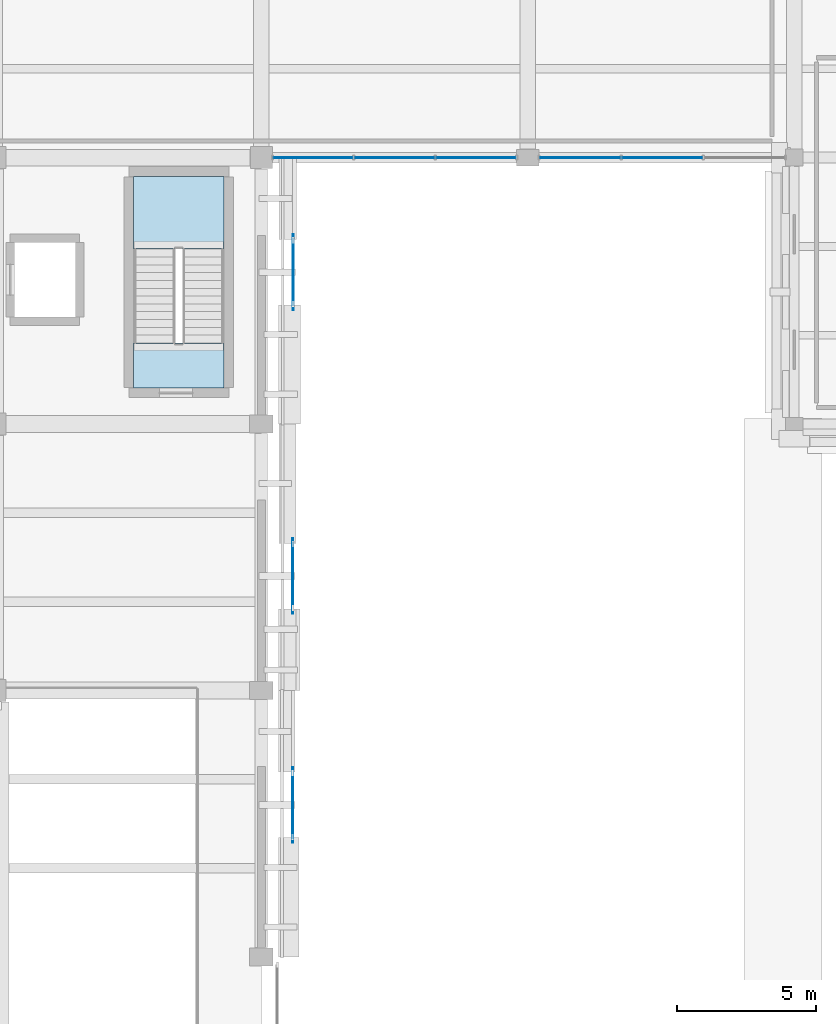
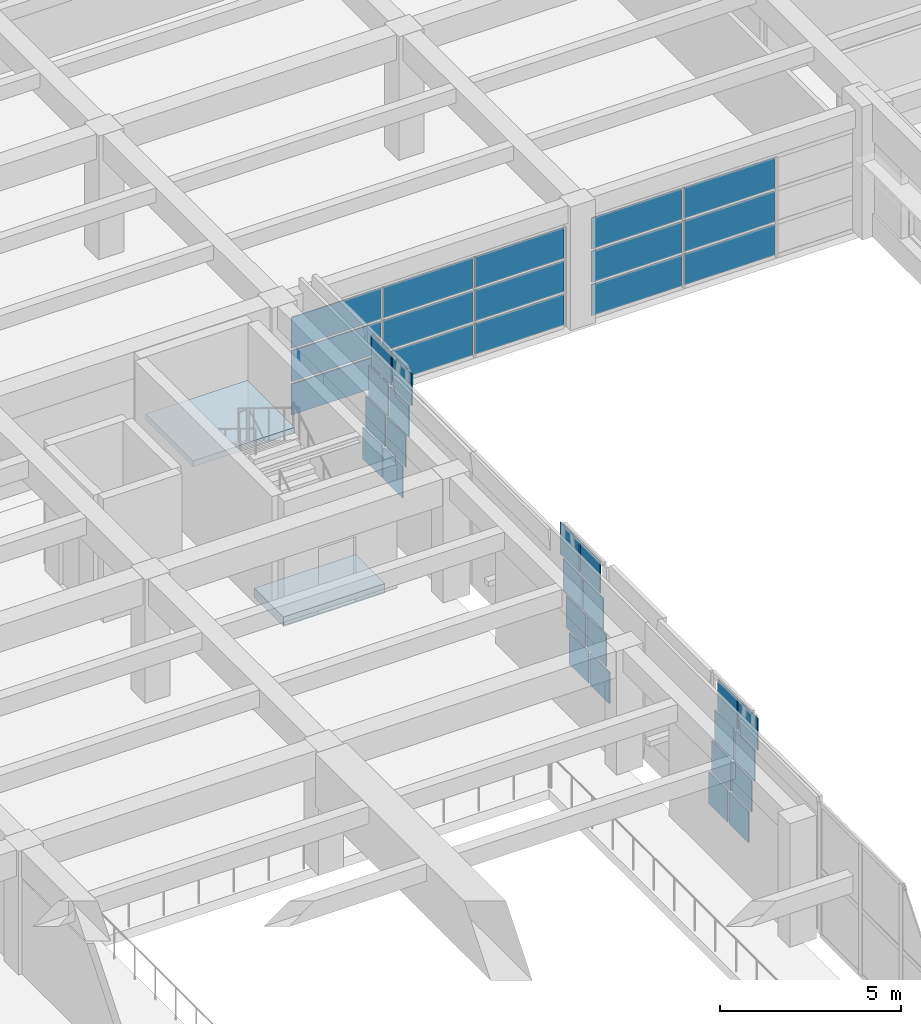
# One storey, part 27 of 49: 39 plates, 2 slabs, 6 elements without a shape of their own.
"""IFC4 building model written with IfcOpenShell, lengths in metres."""

from ifc_helpers import new_model, si_unit, direction, frame, origin, origin_2d, place, context, subcontext, project, spatial, polyline, rectangle, outline, extrude, material, layer, layer_set, type_object, element, aggregate, save


model = new_model("IFC4")

# Units and contexts
model_context = context("Model", 3, precision=1e-05, world=origin(), true_north=direction((0.0, 1.0)))
body_context = subcontext(model_context, "Body", "Model", "MODEL_VIEW")
ifc_project = project(units=[si_unit("LENGTHUNIT", "METRE"), si_unit("AREAUNIT", "SQUARE_METRE"), si_unit("VOLUMEUNIT", "CUBIC_METRE"), si_unit("PLANEANGLEUNIT", "RADIAN"), si_unit("MASSUNIT", "GRAM", prefix="KILO")], contexts=[model_context])

# Site, building, storey
site_placement = place(None, origin())
site = spatial("IfcSite", under=ifc_project, at=site_placement, CompositionType="ELEMENT")
building_placement = place(site_placement, origin())
building = spatial("IfcBuilding", under=site, at=building_placement, Name="Bempovik Park Faculty of Sciences", CompositionType="ELEMENT")
storey_placement = place(building_placement, frame((0.0, 0.0, 5.39990234375)))
storey = spatial("IfcBuildingStorey", under=building, at=storey_placement, Name="L01", CompositionType="ELEMENT", Elevation=5.39990234375)

# Curtain wall, plates
ifc_material_1 = material(Name="Tempered laminated low-E glass", Category="glass")
ifc_layer_1 = layer(ifc_material_1, 0.159912109375)
ifc_layer_set_1 = layer_set([ifc_layer_1], Name="Tempered laminated low-E glass")
curtain_wall_type_1 = type_object("IfcCurtainWallType", Name="CW-52 Curtain 6600x4100", PredefinedType="USERDEFINED", material=ifc_layer_set_1)
curtain_wall_1_placement = place(storey_placement, origin())
curtain_wall_1 = element("IfcCurtainWall", 1, at=curtain_wall_1_placement, inside=storey, type_object=curtain_wall_type_1, Name="L01 Unitised Curtain Wall (67.8,117.6)", ObjectType="UNITISED CURTAIN WALL", PredefinedType="USERDEFINED")
ifc_layer_2 = layer(ifc_material_1, 0.033935546875)
ifc_layer_set_2 = layer_set([ifc_layer_2], Name="Tempered laminated low-E glass")
plate_type_1 = type_object("IfcPlateType", Name="CP-19 Curtain Panel 34mm", PredefinedType="CURTAIN_PANEL", material=ifc_layer_set_2)
plate_1_placement = place(storey_placement, frame((119.468017578125, 67.800048828125, 1.1669921875), z_axis=(0.0, 0.0, 1.0), x_axis=(1.0, 0.0, 0.0)))
plate_1 = element("IfcPlate", 2, at=plate_1_placement, type_object=plate_type_1, Name="CW-BAY-L01-678-1176 Panel 0-1", PredefinedType="CURTAIN_PANEL", context=body_context, shape_type="SweptSolid", body=[
    extrude(rectangle(XDim=2.85205078125, YDim=0.035888671875, at=origin_2d()), origin(), (0.0, 0.0, 1.0), 1.046630859375),
])
plate_2_placement = place(storey_placement, frame((119.468017578125, 67.800048828125, 2.29345703125), z_axis=(0.0, 0.0, 1.0), x_axis=(1.0, 0.0, 0.0)))
plate_2 = element("IfcPlate", 3, at=plate_2_placement, type_object=plate_type_1, Name="CW-BAY-L01-678-1176 Panel 0-2", PredefinedType="CURTAIN_PANEL", context=body_context, shape_type="SweptSolid", body=[
    extrude(rectangle(XDim=2.85205078125, YDim=0.035888671875, at=origin_2d()), origin(), (0.0, 0.0, 1.0), 1.046630859375),
])
plate_3_placement = place(storey_placement, frame((122.39990234375, 67.800048828125, 1.1669921875), z_axis=(0.0, 0.0, 1.0), x_axis=(1.0, 0.0, 0.0)))
plate_3 = element("IfcPlate", 4, at=plate_3_placement, type_object=plate_type_1, Name="CW-BAY-L01-678-1176 Panel 1-1", PredefinedType="CURTAIN_PANEL", context=body_context, shape_type="SweptSolid", body=[
    extrude(rectangle(XDim=2.85205078125, YDim=0.035888671875, at=origin_2d()), origin(), (0.0, 0.0, 1.0), 1.046630859375),
])
plate_4_placement = place(storey_placement, frame((122.39990234375, 67.800048828125, 2.29345703125), z_axis=(0.0, 0.0, 1.0), x_axis=(1.0, 0.0, 0.0)))
plate_4 = element("IfcPlate", 5, at=plate_4_placement, type_object=plate_type_1, Name="CW-BAY-L01-678-1176 Panel 1-2", PredefinedType="CURTAIN_PANEL", context=body_context, shape_type="SweptSolid", body=[
    extrude(rectangle(XDim=2.85205078125, YDim=0.035888671875, at=origin_2d()), origin(), (0.0, 0.0, 1.0), 1.046630859375),
])
plate_5_placement = place(storey_placement, frame((125.33203125, 67.800048828125, 1.1669921875), z_axis=(0.0, 0.0, 1.0), x_axis=(1.0, 0.0, 0.0)))
plate_5 = element("IfcPlate", 6, at=plate_5_placement, type_object=plate_type_1, Name="CW-BAY-L01-678-1176 Panel 2-1", PredefinedType="CURTAIN_PANEL", context=body_context, shape_type="SweptSolid", body=[
    extrude(rectangle(XDim=2.85205078125, YDim=0.035888671875, at=origin_2d()), origin(), (0.0, 0.0, 1.0), 1.046630859375),
])
plate_6_placement = place(storey_placement, frame((125.33203125, 67.800048828125, 2.29345703125), z_axis=(0.0, 0.0, 1.0), x_axis=(1.0, 0.0, 0.0)))
plate_6 = element("IfcPlate", 7, at=plate_6_placement, type_object=plate_type_1, Name="CW-BAY-L01-678-1176 Panel 2-2", PredefinedType="CURTAIN_PANEL", context=body_context, shape_type="SweptSolid", body=[
    extrude(rectangle(XDim=2.85205078125, YDim=0.035888671875, at=origin_2d()), origin(), (0.0, 0.0, 1.0), 1.046630859375),
])

curtain_wall_2_placement = place(storey_placement, origin())
curtain_wall_2 = element("IfcCurtainWall", 8, at=curtain_wall_2_placement, inside=storey, type_object=curtain_wall_type_1, Name="L01 Unitised Curtain Wall (67.8,127.2)", ObjectType="UNITISED CURTAIN WALL", PredefinedType="USERDEFINED")
plate_7_placement = place(storey_placement, frame((129.0830078125, 67.800048828125, 1.1669921875), z_axis=(0.0, 0.0, 1.0), x_axis=(1.0, 0.0, 0.0)))
plate_7 = element("IfcPlate", 9, at=plate_7_placement, type_object=plate_type_1, Name="CW-BAY-L01-678-1272 Panel 0-1", PredefinedType="CURTAIN_PANEL", context=body_context, shape_type="SweptSolid", body=[
    extrude(rectangle(XDim=2.882080078125, YDim=0.035888671875, at=origin_2d()), origin(), (0.0, 0.0, 1.0), 1.046630859375),
])
plate_8_placement = place(storey_placement, frame((129.0830078125, 67.800048828125, 2.29345703125), z_axis=(0.0, 0.0, 1.0), x_axis=(1.0, 0.0, 0.0)))
plate_8 = element("IfcPlate", 10, at=plate_8_placement, type_object=plate_type_1, Name="CW-BAY-L01-678-1272 Panel 0-2", PredefinedType="CURTAIN_PANEL", context=body_context, shape_type="SweptSolid", body=[
    extrude(rectangle(XDim=2.882080078125, YDim=0.035888671875, at=origin_2d()), origin(), (0.0, 0.0, 1.0), 1.046630859375),
])
plate_9_placement = place(storey_placement, frame((132.044921875, 67.800048828125, 1.1669921875), z_axis=(0.0, 0.0, 1.0), x_axis=(1.0, 0.0, 0.0)))
plate_9 = element("IfcPlate", 11, at=plate_9_placement, type_object=plate_type_1, Name="CW-BAY-L01-678-1272 Panel 1-1", PredefinedType="CURTAIN_PANEL", context=body_context, shape_type="SweptSolid", body=[
    extrude(rectangle(XDim=2.882080078125, YDim=0.035888671875, at=origin_2d()), origin(), (0.0, 0.0, 1.0), 1.046630859375),
])
plate_10_placement = place(storey_placement, frame((132.044921875, 67.800048828125, 2.29345703125), z_axis=(0.0, 0.0, 1.0), x_axis=(1.0, 0.0, 0.0)))
plate_10 = element("IfcPlate", 12, at=plate_10_placement, type_object=plate_type_1, Name="CW-BAY-L01-678-1272 Panel 1-2", PredefinedType="CURTAIN_PANEL", context=body_context, shape_type="SweptSolid", body=[
    extrude(rectangle(XDim=2.882080078125, YDim=0.035888671875, at=origin_2d()), origin(), (0.0, 0.0, 1.0), 1.046630859375),
])

ifc_layer_3 = layer(ifc_material_1, 0.159912109375)
ifc_layer_set_3 = layer_set([ifc_layer_3], Name="Tempered laminated low-E glass")
curtain_wall_type_2 = type_object("IfcCurtainWallType", Name="CW-59 Curtain 2400x4500", PredefinedType="USERDEFINED", material=ifc_layer_set_3)
curtain_wall_3_placement = place(storey_placement, origin())
curtain_wall_3 = element("IfcCurtainWall", 13, at=curtain_wall_3_placement, inside=storey, type_object=curtain_wall_type_2, Name="L01 Crystal Slantwise Light Fold (117.6,39.0)", ObjectType="UNITISED CURTAIN WALL", PredefinedType="USERDEFINED")
ifc_layer_4 = layer(ifc_material_1, 0.035888671875)
ifc_layer_set_4 = layer_set([ifc_layer_4], Name="Tempered laminated low-E glass")
plate_type_2 = type_object("IfcPlateType", Name="CP-22 Curtain Panel 36mm", PredefinedType="CURTAIN_PANEL", material=ifc_layer_set_4)
plate_11_placement = place(storey_placement, frame((118.722900390625, 44.155029296875, 0.000244140625), z_axis=(0.0, 0.0, 1.0), x_axis=(0.0, 1.0, 0.0)))
plate_11 = element("IfcPlate", 14, at=plate_11_placement, type_object=plate_type_2, Name="CW-FOLD-L01-1176-390 Panel 0-0", PredefinedType="CURTAIN_PANEL", context=body_context, shape_type="SweptSolid", body=[
    extrude(rectangle(XDim=1.070068359375, YDim=0.035888671875, at=origin_2d()), origin(), (0.0, 0.0, 1.0), 1.06494140625),
])
plate_12_placement = place(storey_placement, frame((118.722900390625, 43.985107421875, 1.14501953125), z_axis=(0.0, 0.0, 1.0), x_axis=(0.0, 1.0, 0.0)))
plate_12 = element("IfcPlate", 15, at=plate_12_placement, type_object=plate_type_2, Name="CW-FOLD-L01-1176-390 Panel 0-1", PredefinedType="CURTAIN_PANEL", context=body_context, shape_type="SweptSolid", body=[
    extrude(rectangle(XDim=1.070068359375, YDim=0.035888671875, at=origin_2d()), origin(), (0.0, 0.0, 1.0), 1.06494140625),
])
plate_13_placement = place(storey_placement, frame((118.722900390625, 43.81494140625, 2.2900390625), z_axis=(0.0, 0.0, 1.0), x_axis=(0.0, 1.0, 0.0)))
plate_13 = element("IfcPlate", 16, at=plate_13_placement, type_object=plate_type_2, Name="CW-FOLD-L01-1176-390 Panel 0-2", PredefinedType="CURTAIN_PANEL", context=body_context, shape_type="SweptSolid", body=[
    extrude(rectangle(XDim=1.070068359375, YDim=0.035888671875, at=origin_2d()), origin(), (0.0, 0.0, 1.0), 1.06494140625),
])
plate_14_placement = place(storey_placement, frame((118.722900390625, 43.64501953125, 3.43505859375), z_axis=(0.0, 0.0, 1.0), x_axis=(0.0, 1.0, 0.0)))
plate_14 = element("IfcPlate", 17, at=plate_14_placement, type_object=plate_type_2, Name="CW-FOLD-L01-1176-390 Panel 0-3", PredefinedType="CURTAIN_PANEL", context=body_context, shape_type="SweptSolid", body=[
    extrude(rectangle(XDim=1.070068359375, YDim=0.035888671875, at=origin_2d()), origin(), (0.0, 0.0, 1.0), 1.06494140625),
])
plate_15_placement = place(storey_placement, frame((118.722900390625, 45.304931640625, 0.000244140625), z_axis=(0.0, 0.0, 1.0), x_axis=(0.0, 1.0, 0.0)))
plate_15 = element("IfcPlate", 18, at=plate_15_placement, type_object=plate_type_2, Name="CW-FOLD-L01-1176-390 Panel 1-0", PredefinedType="CURTAIN_PANEL", context=body_context, shape_type="SweptSolid", body=[
    extrude(rectangle(XDim=1.070068359375, YDim=0.035888671875, at=origin_2d()), origin(), (0.0, 0.0, 1.0), 1.06494140625),
])
plate_16_placement = place(storey_placement, frame((118.722900390625, 45.135009765625, 1.14501953125), z_axis=(0.0, 0.0, 1.0), x_axis=(0.0, 1.0, 0.0)))
plate_16 = element("IfcPlate", 19, at=plate_16_placement, type_object=plate_type_2, Name="CW-FOLD-L01-1176-390 Panel 1-1", PredefinedType="CURTAIN_PANEL", context=body_context, shape_type="SweptSolid", body=[
    extrude(rectangle(XDim=1.070068359375, YDim=0.035888671875, at=origin_2d()), origin(), (0.0, 0.0, 1.0), 1.06494140625),
])
plate_17_placement = place(storey_placement, frame((118.722900390625, 44.965087890625, 2.2900390625), z_axis=(0.0, 0.0, 1.0), x_axis=(0.0, 1.0, 0.0)))
plate_17 = element("IfcPlate", 20, at=plate_17_placement, type_object=plate_type_2, Name="CW-FOLD-L01-1176-390 Panel 1-2", PredefinedType="CURTAIN_PANEL", context=body_context, shape_type="SweptSolid", body=[
    extrude(rectangle(XDim=1.070068359375, YDim=0.035888671875, at=origin_2d()), origin(), (0.0, 0.0, 1.0), 1.06494140625),
])
plate_18_placement = place(storey_placement, frame((118.722900390625, 44.794921875, 3.43505859375), z_axis=(0.0, 0.0, 1.0), x_axis=(0.0, 1.0, 0.0)))
plate_18 = element("IfcPlate", 21, at=plate_18_placement, type_object=plate_type_2, Name="CW-FOLD-L01-1176-390 Panel 1-3", PredefinedType="CURTAIN_PANEL", context=body_context, shape_type="SweptSolid", body=[
    extrude(rectangle(XDim=1.070068359375, YDim=0.035888671875, at=origin_2d()), origin(), (0.0, 0.0, 1.0), 1.06494140625),
])
aggregate(curtain_wall_3, [plate_11, plate_12, plate_13, plate_14, plate_15, plate_16, plate_17, plate_18])

curtain_wall_4_placement = place(storey_placement, origin())
curtain_wall_4 = element("IfcCurtainWall", 22, at=curtain_wall_4_placement, inside=storey, type_object=curtain_wall_type_2, Name="L01 Crystal Slantwise Light Fold (117.6,48.6)", ObjectType="UNITISED CURTAIN WALL", PredefinedType="USERDEFINED")
plate_19_placement = place(storey_placement, frame((118.73876953125, 51.89501953125, 0.000244140625), z_axis=(0.0, 0.0, 1.0), x_axis=(0.0, 1.0, 0.0)))
plate_19 = element("IfcPlate", 23, at=plate_19_placement, type_object=plate_type_2, Name="CW-FOLD-L01-1176-486 Panel 0-0", PredefinedType="CURTAIN_PANEL", context=body_context, shape_type="SweptSolid", body=[
    extrude(rectangle(XDim=1.070068359375, YDim=0.035888671875, at=origin_2d()), origin(), (0.0, 0.0, 1.0), 1.06494140625),
])
plate_20_placement = place(storey_placement, frame((118.73876953125, 52.06494140625, 1.14501953125), z_axis=(0.0, 0.0, 1.0), x_axis=(0.0, 1.0, 0.0)))
plate_20 = element("IfcPlate", 24, at=plate_20_placement, type_object=plate_type_2, Name="CW-FOLD-L01-1176-486 Panel 0-1", PredefinedType="CURTAIN_PANEL", context=body_context, shape_type="SweptSolid", body=[
    extrude(rectangle(XDim=1.070068359375, YDim=0.035888671875, at=origin_2d()), origin(), (0.0, 0.0, 1.0), 1.06494140625),
])
plate_21_placement = place(storey_placement, frame((118.73876953125, 52.235107421875, 2.2900390625), z_axis=(0.0, 0.0, 1.0), x_axis=(0.0, 1.0, 0.0)))
plate_21 = element("IfcPlate", 25, at=plate_21_placement, type_object=plate_type_2, Name="CW-FOLD-L01-1176-486 Panel 0-2", PredefinedType="CURTAIN_PANEL", context=body_context, shape_type="SweptSolid", body=[
    extrude(rectangle(XDim=1.070068359375, YDim=0.035888671875, at=origin_2d()), origin(), (0.0, 0.0, 1.0), 1.06494140625),
])
plate_22_placement = place(storey_placement, frame((118.73876953125, 52.405029296875, 3.43505859375), z_axis=(0.0, 0.0, 1.0), x_axis=(0.0, 1.0, 0.0)))
plate_22 = element("IfcPlate", 26, at=plate_22_placement, type_object=plate_type_2, Name="CW-FOLD-L01-1176-486 Panel 0-3", PredefinedType="CURTAIN_PANEL", context=body_context, shape_type="SweptSolid", body=[
    extrude(rectangle(XDim=1.070068359375, YDim=0.035888671875, at=origin_2d()), origin(), (0.0, 0.0, 1.0), 1.06494140625),
])
plate_23_placement = place(storey_placement, frame((118.73876953125, 53.044921875, 0.000244140625), z_axis=(0.0, 0.0, 1.0), x_axis=(0.0, 1.0, 0.0)))
plate_23 = element("IfcPlate", 27, at=plate_23_placement, type_object=plate_type_2, Name="CW-FOLD-L01-1176-486 Panel 1-0", PredefinedType="CURTAIN_PANEL", context=body_context, shape_type="SweptSolid", body=[
    extrude(rectangle(XDim=1.070068359375, YDim=0.035888671875, at=origin_2d()), origin(), (0.0, 0.0, 1.0), 1.06494140625),
])
plate_24_placement = place(storey_placement, frame((118.73876953125, 53.215087890625, 1.14501953125), z_axis=(0.0, 0.0, 1.0), x_axis=(0.0, 1.0, 0.0)))
plate_24 = element("IfcPlate", 28, at=plate_24_placement, type_object=plate_type_2, Name="CW-FOLD-L01-1176-486 Panel 1-1", PredefinedType="CURTAIN_PANEL", context=body_context, shape_type="SweptSolid", body=[
    extrude(rectangle(XDim=1.070068359375, YDim=0.035888671875, at=origin_2d()), origin(), (0.0, 0.0, 1.0), 1.06494140625),
])
plate_25_placement = place(storey_placement, frame((118.73876953125, 53.385009765625, 2.2900390625), z_axis=(0.0, 0.0, 1.0), x_axis=(0.0, 1.0, 0.0)))
plate_25 = element("IfcPlate", 29, at=plate_25_placement, type_object=plate_type_2, Name="CW-FOLD-L01-1176-486 Panel 1-2", PredefinedType="CURTAIN_PANEL", context=body_context, shape_type="SweptSolid", body=[
    extrude(rectangle(XDim=1.070068359375, YDim=0.035888671875, at=origin_2d()), origin(), (0.0, 0.0, 1.0), 1.06494140625),
])
plate_26_placement = place(storey_placement, frame((118.73876953125, 53.554931640625, 3.43505859375), z_axis=(0.0, 0.0, 1.0), x_axis=(0.0, 1.0, 0.0)))
plate_26 = element("IfcPlate", 30, at=plate_26_placement, type_object=plate_type_2, Name="CW-FOLD-L01-1176-486 Panel 1-3", PredefinedType="CURTAIN_PANEL", context=body_context, shape_type="SweptSolid", body=[
    extrude(rectangle(XDim=1.070068359375, YDim=0.035888671875, at=origin_2d()), origin(), (0.0, 0.0, 1.0), 1.06494140625),
])
aggregate(curtain_wall_4, [plate_19, plate_20, plate_21, plate_22, plate_23, plate_24, plate_25, plate_26])

curtain_wall_5_placement = place(storey_placement, origin())
curtain_wall_5 = element("IfcCurtainWall", 31, at=curtain_wall_5_placement, inside=storey, type_object=curtain_wall_type_2, Name="L01 Crystal Slantwise Light Fold (117.6,58.2)", ObjectType="UNITISED CURTAIN WALL", PredefinedType="USERDEFINED")
plate_27_placement = place(storey_placement, frame((118.74658203125, 63.35498046875, 0.000244140625), z_axis=(0.0, 0.0, 1.0), x_axis=(0.0, 1.0, 0.0)))
plate_27 = element("IfcPlate", 32, at=plate_27_placement, type_object=plate_type_2, Name="CW-FOLD-L01-1176-582 Panel 0-0", PredefinedType="CURTAIN_PANEL", context=body_context, shape_type="SweptSolid", body=[
    extrude(rectangle(XDim=1.070068359375, YDim=0.035888671875, at=origin_2d()), origin(), (0.0, 0.0, 1.0), 1.06494140625),
])
plate_28_placement = place(storey_placement, frame((118.74658203125, 63.18505859375, 1.14501953125), z_axis=(0.0, 0.0, 1.0), x_axis=(0.0, 1.0, 0.0)))
plate_28 = element("IfcPlate", 33, at=plate_28_placement, type_object=plate_type_2, Name="CW-FOLD-L01-1176-582 Panel 0-1", PredefinedType="CURTAIN_PANEL", context=body_context, shape_type="SweptSolid", body=[
    extrude(rectangle(XDim=1.070068359375, YDim=0.035888671875, at=origin_2d()), origin(), (0.0, 0.0, 1.0), 1.06494140625),
])
plate_29_placement = place(storey_placement, frame((118.74658203125, 63.014892578125, 2.2900390625), z_axis=(0.0, 0.0, 1.0), x_axis=(0.0, 1.0, 0.0)))
plate_29 = element("IfcPlate", 34, at=plate_29_placement, type_object=plate_type_2, Name="CW-FOLD-L01-1176-582 Panel 0-2", PredefinedType="CURTAIN_PANEL", context=body_context, shape_type="SweptSolid", body=[
    extrude(rectangle(XDim=1.070068359375, YDim=0.035888671875, at=origin_2d()), origin(), (0.0, 0.0, 1.0), 1.06494140625),
])
plate_30_placement = place(storey_placement, frame((118.74658203125, 62.844970703125, 3.43505859375), z_axis=(0.0, 0.0, 1.0), x_axis=(0.0, 1.0, 0.0)))
plate_30 = element("IfcPlate", 35, at=plate_30_placement, type_object=plate_type_2, Name="CW-FOLD-L01-1176-582 Panel 0-3", PredefinedType="CURTAIN_PANEL", context=body_context, shape_type="SweptSolid", body=[
    extrude(rectangle(XDim=1.070068359375, YDim=0.035888671875, at=origin_2d()), origin(), (0.0, 0.0, 1.0), 1.06494140625),
])
plate_31_placement = place(storey_placement, frame((118.74658203125, 64.5048828125, 0.000244140625), z_axis=(0.0, 0.0, 1.0), x_axis=(0.0, 1.0, 0.0)))
plate_31 = element("IfcPlate", 36, at=plate_31_placement, type_object=plate_type_2, Name="CW-FOLD-L01-1176-582 Panel 1-0", PredefinedType="CURTAIN_PANEL", context=body_context, shape_type="SweptSolid", body=[
    extrude(rectangle(XDim=1.070068359375, YDim=0.035888671875, at=origin_2d()), origin(), (0.0, 0.0, 1.0), 1.06494140625),
])
plate_32_placement = place(storey_placement, frame((118.74658203125, 64.3349609375, 1.14501953125), z_axis=(0.0, 0.0, 1.0), x_axis=(0.0, 1.0, 0.0)))
plate_32 = element("IfcPlate", 37, at=plate_32_placement, type_object=plate_type_2, Name="CW-FOLD-L01-1176-582 Panel 1-1", PredefinedType="CURTAIN_PANEL", context=body_context, shape_type="SweptSolid", body=[
    extrude(rectangle(XDim=1.070068359375, YDim=0.035888671875, at=origin_2d()), origin(), (0.0, 0.0, 1.0), 1.06494140625),
])
plate_33_placement = place(storey_placement, frame((118.74658203125, 64.1650390625, 2.2900390625), z_axis=(0.0, 0.0, 1.0), x_axis=(0.0, 1.0, 0.0)))
plate_33 = element("IfcPlate", 38, at=plate_33_placement, type_object=plate_type_2, Name="CW-FOLD-L01-1176-582 Panel 1-2", PredefinedType="CURTAIN_PANEL", context=body_context, shape_type="SweptSolid", body=[
    extrude(rectangle(XDim=1.070068359375, YDim=0.035888671875, at=origin_2d()), origin(), (0.0, 0.0, 1.0), 1.06494140625),
])
plate_34_placement = place(storey_placement, frame((118.74658203125, 63.9951171875, 3.43505859375), z_axis=(0.0, 0.0, 1.0), x_axis=(0.0, 1.0, 0.0)))
plate_34 = element("IfcPlate", 39, at=plate_34_placement, type_object=plate_type_2, Name="CW-FOLD-L01-1176-582 Panel 1-3", PredefinedType="CURTAIN_PANEL", context=body_context, shape_type="SweptSolid", body=[
    extrude(rectangle(XDim=1.070068359375, YDim=0.035888671875, at=origin_2d()), origin(), (0.0, 0.0, 1.0), 1.06494140625),
])
aggregate(curtain_wall_5, [plate_27, plate_28, plate_29, plate_30, plate_31, plate_32, plate_33, plate_34])

# Plate
ifc_material_2 = material(Name="Anodised architectural bronze")
ifc_layer_5 = layer(ifc_material_2, 0.048095703125)
ifc_layer_set_5 = layer_set([ifc_layer_5], Name="Anodised architectural bronze")
plate_type_3 = type_object("IfcPlateType", Name="CP-24 Curtain Panel 48mm", PredefinedType="CURTAIN_PANEL", material=ifc_layer_set_5)
plate_35_placement = place(storey_placement, frame((119.468017578125, 67.800048828125, 0.0400390625), z_axis=(0.0, 0.0, 1.0), x_axis=(1.0, 0.0, 0.0)))
plate_35 = element("IfcPlate", 40, at=plate_35_placement, type_object=plate_type_3, Name="CW-BAY-L01-678-1176 Panel 0-0", PredefinedType="CURTAIN_PANEL", context=body_context, shape_type="SweptSolid", body=[
    extrude(rectangle(XDim=2.85205078125, YDim=0.035888671875, at=origin_2d()), origin(), (0.0, 0.0, 1.0), 1.046630859375),
])

plate_36_placement = place(storey_placement, frame((122.39990234375, 67.800048828125, 0.0400390625), z_axis=(0.0, 0.0, 1.0), x_axis=(1.0, 0.0, 0.0)))
plate_36 = element("IfcPlate", 41, at=plate_36_placement, type_object=plate_type_3, Name="CW-BAY-L01-678-1176 Panel 1-0", PredefinedType="CURTAIN_PANEL", context=body_context, shape_type="SweptSolid", body=[
    extrude(rectangle(XDim=2.85205078125, YDim=0.035888671875, at=origin_2d()), origin(), (0.0, 0.0, 1.0), 1.046630859375),
])

plate_37_placement = place(storey_placement, frame((125.33203125, 67.800048828125, 0.0400390625), z_axis=(0.0, 0.0, 1.0), x_axis=(1.0, 0.0, 0.0)))
plate_37 = element("IfcPlate", 42, at=plate_37_placement, type_object=plate_type_3, Name="CW-BAY-L01-678-1176 Panel 2-0", PredefinedType="CURTAIN_PANEL", context=body_context, shape_type="SweptSolid", body=[
    extrude(rectangle(XDim=2.85205078125, YDim=0.035888671875, at=origin_2d()), origin(), (0.0, 0.0, 1.0), 1.046630859375),
])

aggregate(curtain_wall_1, [plate_35, plate_1, plate_2, plate_36, plate_3, plate_4, plate_37, plate_5, plate_6])

plate_38_placement = place(storey_placement, frame((129.0830078125, 67.800048828125, 0.0400390625), z_axis=(0.0, 0.0, 1.0), x_axis=(1.0, 0.0, 0.0)))
plate_38 = element("IfcPlate", 43, at=plate_38_placement, type_object=plate_type_3, Name="CW-BAY-L01-678-1272 Panel 0-0", PredefinedType="CURTAIN_PANEL", context=body_context, shape_type="SweptSolid", body=[
    extrude(rectangle(XDim=2.882080078125, YDim=0.035888671875, at=origin_2d()), origin(), (0.0, 0.0, 1.0), 1.046630859375),
])

plate_39_placement = place(storey_placement, frame((132.044921875, 67.800048828125, 0.0400390625), z_axis=(0.0, 0.0, 1.0), x_axis=(1.0, 0.0, 0.0)))
plate_39 = element("IfcPlate", 44, at=plate_39_placement, type_object=plate_type_3, Name="CW-BAY-L01-678-1272 Panel 1-0", PredefinedType="CURTAIN_PANEL", context=body_context, shape_type="SweptSolid", body=[
    extrude(rectangle(XDim=2.882080078125, YDim=0.035888671875, at=origin_2d()), origin(), (0.0, 0.0, 1.0), 1.046630859375),
])

aggregate(curtain_wall_2, [plate_38, plate_7, plate_8, plate_39, plate_9, plate_10])

# Stair, slab
ifc_material_3 = material(Name="Concrete C35/45", Category="concrete")
stair_type = type_object("IfcStairType", Name="ST-12 Stair W1500 H4500", PredefinedType="HALF_TURN_STAIR", material=ifc_material_3)
stair_placement = place(storey_placement, origin())
stair = element("IfcStair", 45, at=stair_placement, inside=storey, type_object=stair_type, Name="L01 ST-5 Dog-Leg Exit Stair", PredefinedType="HALF_TURN_STAIR")
ifc_layer_6 = layer(ifc_material_3, 0.199951171875)
ifc_layer_set_6 = layer_set([ifc_layer_6], Name="Concrete C35/45")
slab_type = type_object("IfcSlabType", Name="S-41 Slab 200mm", PredefinedType="LANDING", material=ifc_layer_set_6)
slab_1_placement = place(storey_placement, frame((0.0, 0.0, 2.050048828125)))
slab_1 = element("IfcSlab", 46, at=slab_1_placement, type_object=slab_type, Name="ST-12 landing 1", PredefinedType="LANDING", context=body_context, shape_type="SweptSolid", body=[
    extrude(outline(polyline([(116.25, 64.5), (116.25, 67.125), (113.0, 67.125), (113.0, 64.5), (116.25, 64.5)])), origin(), (0.0, 0.0, 1.0), 0.199951171875),
])
aggregate(stair, [slab_1])

# Slab
slab_2_placement = place(storey_placement, frame((0.0, 0.0, -0.31982421875)))
element("IfcSlab", 47, at=slab_2_placement, inside=storey, type_object=slab_type, Name="L01 ST-5 Floor Landing Slab", PredefinedType="LANDING", context=body_context, shape_type="SweptSolid", body=[
    extrude(outline(polyline([(116.25, 59.5), (116.25, 61.125), (113.0, 61.125), (113.0, 59.5), (116.25, 59.5)])), origin(), (0.0, 0.0, 1.0), 0.31982421875),
])

save(model, "model.ifc")
